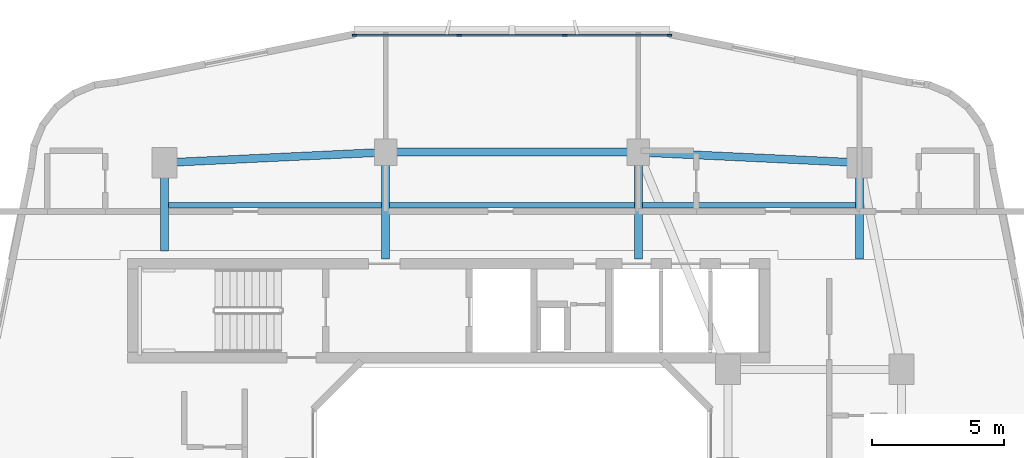
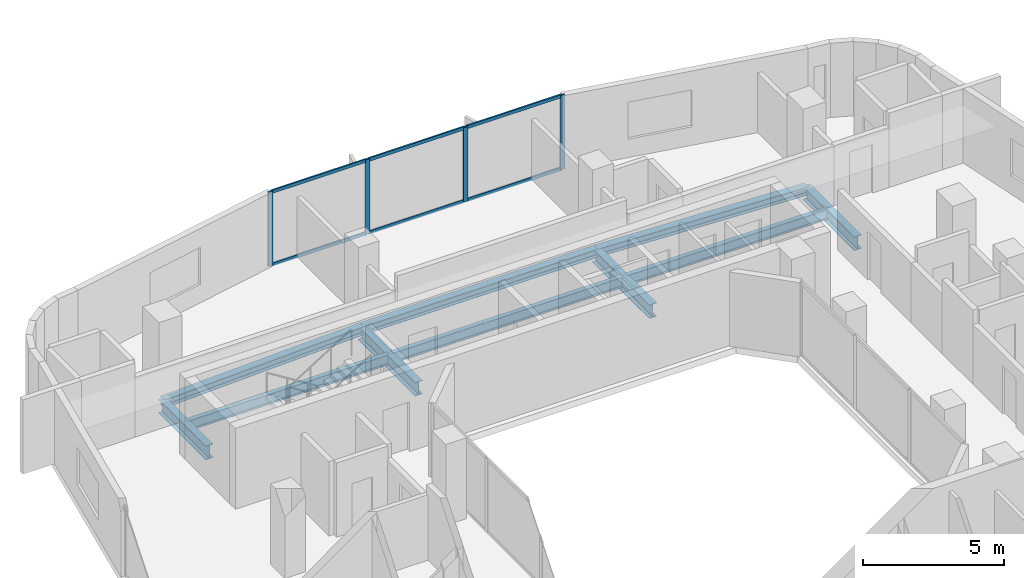
# One storey, part 7 of 26: 10 beams, 10 members, 1 element without a shape of its own.
"""IFC4 building model written with IfcOpenShell, lengths in metres."""

from ifc_helpers import new_model, si_unit, derived_unit, direction, frame, origin, origin_2d, place, context, subcontext, project, spatial, rectangle, i_section, extrude, material, layer, layer_set, material_profile, profile_set, type_object, element, aggregate, save


model = new_model("IFC4")

# Units and contexts
model_context = context("Model", 3, precision=1e-05, world=origin(), true_north=direction((0.0, 1.0)))
body_context = subcontext(model_context, "Body", "Model", "MODEL_VIEW")
ifc_project = project(units=[si_unit("LENGTHUNIT", "METRE"), si_unit("AREAUNIT", "SQUARE_METRE"), si_unit("VOLUMEUNIT", "CUBIC_METRE"), si_unit("PLANEANGLEUNIT", "RADIAN"), si_unit("MASSUNIT", "GRAM", prefix="KILO"), derived_unit("THERMALTRANSMITTANCEUNIT", [(si_unit("POWERUNIT", "WATT"), 1), (si_unit("LENGTHUNIT", "METRE"), -2), (si_unit("THERMODYNAMICTEMPERATUREUNIT", "KELVIN"), -1)])], contexts=[model_context])

# Site, building, storey
site_placement = place(None, origin())
site = spatial("IfcSite", under=ifc_project, at=site_placement, CompositionType="ELEMENT")
building_placement = place(site_placement, origin())
building = spatial("IfcBuilding", under=site, at=building_placement, Name="Kivonza Crest Hotel", CompositionType="ELEMENT")
storey_placement = place(building_placement, frame((0.0, 0.0, 105.5)))
storey = spatial("IfcBuildingStorey", under=building, at=storey_placement, Name="L28", CompositionType="ELEMENT", Elevation=105.5)

# Beams
ifc_material_1 = material(Name="Steel S355", Category="steel")
ifc_material_profile_1 = material_profile(ifc_material_1, i_section(OverallWidth=0.300048828125, OverallDepth=0.360107421875, WebThickness=0.012451171875, FlangeThickness=0.0224609375, FilletRadius=0.027099609375, at=origin_2d()), Name="HEB 360")
ifc_profile_set_1 = profile_set([ifc_material_profile_1], Name="Steel S355")
beam_type_1 = type_object("IfcBeamType", Name="BM-HEB360", PredefinedType="SPANDREL", material=ifc_profile_set_1)
beam_1_placement = place(storey_placement, frame((34.199951171875, 40.199951171875, -0.4599609375), z_axis=(-0.998867283688, 0.047583080799, 0.0), x_axis=(-0.047583080799, -0.998867283688, 0.0)))
element("IfcBeam", 1, at=beam_1_placement, inside=storey, type_object=beam_type_1, Name="Tower T1 L28 perimeter spandrel NE-N2", PredefinedType="SPANDREL", context=body_context, shape_type="SweptSolid", body=[
    extrude(i_section(OverallWidth=0.300048828125, OverallDepth=0.360107421875, WebThickness=0.012451171875, FlangeThickness=0.0224609375, FilletRadius=0.027099609375, at=origin_2d()), origin(), (0.0, 0.0, 1.0), 8.409423828125),
])
beam_2_placement = place(storey_placement, frame((25.800048828125, 40.60009765625, -0.4599609375), z_axis=(-1.0, 0.0, 0.0), x_axis=(0.0, -1.0, 0.0)))
element("IfcBeam", 2, at=beam_2_placement, inside=storey, type_object=beam_type_1, Name="Tower T1 L28 perimeter spandrel N2-N1", PredefinedType="SPANDREL", context=body_context, shape_type="SweptSolid", body=[
    extrude(i_section(OverallWidth=0.300048828125, OverallDepth=0.360107421875, WebThickness=0.012451171875, FlangeThickness=0.0224609375, FilletRadius=0.027099609375, at=origin_2d()), origin(), (0.0, 0.0, 1.0), 9.60009765625),
])
beam_3_placement = place(storey_placement, frame((16.199951171875, 40.60009765625, -0.4599609375), z_axis=(-0.998867283688, -0.047583080799, 0.0), x_axis=(0.047583080799, -0.998867283688, 0.0)))
element("IfcBeam", 3, at=beam_3_placement, inside=storey, type_object=beam_type_1, Name="Tower T1 L28 perimeter spandrel N1-NW", PredefinedType="SPANDREL", context=body_context, shape_type="SweptSolid", body=[
    extrude(i_section(OverallWidth=0.300048828125, OverallDepth=0.360107421875, WebThickness=0.012451171875, FlangeThickness=0.0224609375, FilletRadius=0.027099609375, at=origin_2d()), origin(), (0.0, 0.0, 1.0), 8.409423828125),
])
ifc_material_profile_2 = material_profile(ifc_material_1, i_section(OverallWidth=0.300048828125, OverallDepth=0.60009765625, WebThickness=0.015380859375, FlangeThickness=0.030029296875, FilletRadius=0.027099609375, at=origin_2d()), Name="HEB 600")
ifc_profile_set_2 = profile_set([ifc_material_profile_2], Name="Steel S355")
beam_type_2 = type_object("IfcBeamType", Name="BM-HEB600", PredefinedType="BEAM", material=ifc_profile_set_2)
beam_4_placement = place(storey_placement, frame((7.800048828125, 40.199951171875, -0.580078125), z_axis=(0.0, -1.0, 0.0), x_axis=(1.0, 0.0, 0.0)))
element("IfcBeam", 4, at=beam_4_placement, inside=storey, type_object=beam_type_2, Name="Tower T1 L28 radial core girder RNW", PredefinedType="BEAM", context=body_context, shape_type="SweptSolid", body=[
    extrude(i_section(OverallWidth=0.300048828125, OverallDepth=0.60009765625, WebThickness=0.015380859375, FlangeThickness=0.030029296875, FilletRadius=0.027099609375, at=origin_2d()), origin(), (0.0, 0.0, 1.0), 3.349853515625),
])
for number, where, z_axis, x_axis, name in (
    (5, (16.199951171875, 40.60009765625, -0.580078125), (0.0, -1.0, 0.0), (1.0, 0.0, 0.0), "Tower T1 L28 radial core girder RN1"),
    (6, (25.800048828125, 40.60009765625, -0.580078125), (0.0, -1.0, 0.0), (1.0, 0.0, 0.0), "Tower T1 L28 radial core girder RN2"),
):
    element("IfcBeam", number, at=place(storey_placement, frame(where, z_axis=z_axis, x_axis=x_axis)), inside=storey, type_object=beam_type_2, Name=name, PredefinedType="BEAM", context=body_context, shape_type="SweptSolid", body=[
        extrude(i_section(OverallWidth=0.300048828125, OverallDepth=0.60009765625, WebThickness=0.015380859375, FlangeThickness=0.030029296875, FilletRadius=0.027099609375, at=origin_2d()), origin(), (0.0, 0.0, 1.0), 4.050048828125),
    ])
beam_5_placement = place(storey_placement, frame((34.199951171875, 40.199951171875, -0.580078125), z_axis=(0.0, -1.0, 0.0), x_axis=(1.0, 0.0, 0.0)))
element("IfcBeam", 7, at=beam_5_placement, inside=storey, type_object=beam_type_2, Name="Tower T1 L28 radial core girder RNE", PredefinedType="BEAM", context=body_context, shape_type="SweptSolid", body=[
    extrude(i_section(OverallWidth=0.300048828125, OverallDepth=0.60009765625, WebThickness=0.015380859375, FlangeThickness=0.030029296875, FilletRadius=0.027099609375, at=origin_2d()), origin(), (0.0, 0.0, 1.0), 3.64990234375),
])
ifc_material_profile_3 = material_profile(ifc_material_1, i_section(OverallWidth=0.18994140625, OverallDepth=0.449951171875, WebThickness=0.009521484375, FlangeThickness=0.0146484375, FilletRadius=0.02099609375, at=origin_2d()), Name="IPE 450")
ifc_profile_set_3 = profile_set([ifc_material_profile_3], Name="Steel S355")
beam_type_3 = type_object("IfcBeamType", Name="BM-IPE450", PredefinedType="JOIST", material=ifc_profile_set_3)
beam_6_placement = place(storey_placement, frame((7.8798828125, 38.60009765625, -0.5048828125), z_axis=(1.0, 0.0, 0.0), x_axis=(0.0, 1.0, 0.0)))
element("IfcBeam", 8, at=beam_6_placement, inside=storey, type_object=beam_type_3, Name="Tower T1 L28 North-West floor joist", PredefinedType="JOIST", context=body_context, shape_type="SweptSolid", body=[
    extrude(i_section(OverallWidth=0.18994140625, OverallDepth=0.449951171875, WebThickness=0.009521484375, FlangeThickness=0.0146484375, FilletRadius=0.02099609375, at=origin_2d()), origin(), (0.0, 0.0, 1.0), 8.240234375),
])
beam_7_placement = place(storey_placement, frame((16.280029296875, 38.60009765625, -0.5048828125), z_axis=(1.0, 0.0, 0.0), x_axis=(0.0, 1.0, 0.0)))
element("IfcBeam", 9, at=beam_7_placement, inside=storey, type_object=beam_type_3, Name="Tower T1 L28 North-Mid floor joist", PredefinedType="JOIST", context=body_context, shape_type="SweptSolid", body=[
    extrude(i_section(OverallWidth=0.18994140625, OverallDepth=0.449951171875, WebThickness=0.009521484375, FlangeThickness=0.0146484375, FilletRadius=0.02099609375, at=origin_2d()), origin(), (0.0, 0.0, 1.0), 9.43994140625),
])
beam_8_placement = place(storey_placement, frame((25.8798828125, 38.60009765625, -0.5048828125), z_axis=(1.0, 0.0, 0.0), x_axis=(0.0, 1.0, 0.0)))
element("IfcBeam", 10, at=beam_8_placement, inside=storey, type_object=beam_type_3, Name="Tower T1 L28 North-East floor joist", PredefinedType="JOIST", context=body_context, shape_type="SweptSolid", body=[
    extrude(i_section(OverallWidth=0.18994140625, OverallDepth=0.449951171875, WebThickness=0.009521484375, FlangeThickness=0.0146484375, FilletRadius=0.02099609375, at=origin_2d()), origin(), (0.0, 0.0, 1.0), 8.240234375),
])

# Curtain wall, members
ifc_material_2 = material(Name="Anodised bronze aluminium and low-E double glazing", Category="aluminium")
ifc_layer = layer(ifc_material_2, 0.179931640625)
ifc_layer_set = layer_set([ifc_layer], Name="Anodised bronze aluminium and low-E double glazing")
curtain_wall_type = type_object("IfcCurtainWallType", Name="CW-SYS-2", PredefinedType="NOTDEFINED", material=ifc_layer_set)
curtain_wall_placement = place(storey_placement, origin())
curtain_wall = element("IfcCurtainWall", 11, at=curtain_wall_placement, inside=storey, type_object=curtain_wall_type, Name="L28 unitised curtain wall CW-T1-L28-26", PredefinedType="NOTDEFINED")
ifc_material_3 = material(Name="Anodised bronze aluminium", Category="aluminium")
ifc_material_profile_4 = material_profile(ifc_material_3, rectangle(XDim=0.06494140625, YDim=0.179931640625, at=origin_2d()), Name="CW-M 65x180")
ifc_profile_set_4 = profile_set([ifc_material_profile_4], Name="Anodised bronze aluminium")
member_type_1 = type_object("IfcMemberType", Name="CW-MUL-65x180", PredefinedType="MULLION", material=ifc_profile_set_4)
member_1_placement = place(storey_placement, frame((26.987548828125, 45.0400390625, 0.0), z_axis=(0.0, 0.0, 1.0), x_axis=(0.0, -1.0, 0.0)))
member_1 = element("IfcMember", 12, at=member_1_placement, type_object=member_type_1, Name="CW-2 mullion 1", PredefinedType="MULLION", context=body_context, shape_type="SweptSolid", body=[
    extrude(rectangle(XDim=0.06494140625, YDim=0.179931640625, at=origin_2d()), origin(), (0.0, 0.0, 1.0), 3.219970703125),
])
member_2_placement = place(storey_placement, frame((23.006591796875, 45.0400390625, 0.0), z_axis=(0.0, 0.0, 1.0), x_axis=(0.0, -1.0, 0.0)))
member_2 = element("IfcMember", 13, at=member_2_placement, type_object=member_type_1, Name="CW-2 mullion 2", PredefinedType="MULLION", context=body_context, shape_type="SweptSolid", body=[
    extrude(rectangle(XDim=0.06494140625, YDim=0.179931640625, at=origin_2d()), origin(), (0.0, 0.0, 1.0), 3.219970703125),
])
member_3_placement = place(storey_placement, frame((18.993408203125, 45.0400390625, 0.0), z_axis=(0.0, 0.0, 1.0), x_axis=(0.0, -1.0, 0.0)))
member_3 = element("IfcMember", 14, at=member_3_placement, type_object=member_type_1, Name="CW-2 mullion 3", PredefinedType="MULLION", context=body_context, shape_type="SweptSolid", body=[
    extrude(rectangle(XDim=0.06494140625, YDim=0.179931640625, at=origin_2d()), origin(), (0.0, 0.0, 1.0), 3.219970703125),
])
member_4_placement = place(storey_placement, frame((15.012451171875, 45.0400390625, 0.0), z_axis=(0.0, 0.0, 1.0), x_axis=(0.0, -1.0, 0.0)))
member_4 = element("IfcMember", 15, at=member_4_placement, type_object=member_type_1, Name="CW-2 mullion 4", PredefinedType="MULLION", context=body_context, shape_type="SweptSolid", body=[
    extrude(rectangle(XDim=0.06494140625, YDim=0.179931640625, at=origin_2d()), origin(), (0.0, 0.0, 1.0), 3.219970703125),
])
ifc_material_profile_5 = material_profile(ifc_material_3, rectangle(XDim=0.06494140625, YDim=0.139892578125, at=origin_2d()), Name="CW-T 65x140")
ifc_profile_set_5 = profile_set([ifc_material_profile_5], Name="Anodised bronze aluminium")
member_type_2 = type_object("IfcMemberType", Name="CW-TRN-65x140", PredefinedType="USERDEFINED", material=ifc_profile_set_5)
member_5_placement = place(storey_placement, frame((26.955078125, 45.0400390625, 0.032470703125), z_axis=(-1.0, 0.0, 0.0), x_axis=(0.0, -1.0, 0.0)))
member_5 = element("IfcMember", 16, at=member_5_placement, type_object=member_type_2, Name="CW-2 transom 1.1", ObjectType="TRANSOM", PredefinedType="USERDEFINED", context=body_context, shape_type="SweptSolid", body=[
    extrude(rectangle(XDim=0.06494140625, YDim=0.139892578125, at=origin_2d()), origin(), (0.0, 0.0, 1.0), 3.916015625),
])
member_6_placement = place(storey_placement, frame((26.955078125, 45.0400390625, 3.1875), z_axis=(-1.0, 0.0, 0.0), x_axis=(0.0, -1.0, 0.0)))
member_6 = element("IfcMember", 17, at=member_6_placement, type_object=member_type_2, Name="CW-2 transom 1.2", ObjectType="TRANSOM", PredefinedType="USERDEFINED", context=body_context, shape_type="SweptSolid", body=[
    extrude(rectangle(XDim=0.06494140625, YDim=0.139892578125, at=origin_2d()), origin(), (0.0, 0.0, 1.0), 3.916015625),
])
member_7_placement = place(storey_placement, frame((22.97412109375, 45.0400390625, 0.032470703125), z_axis=(-1.0, 0.0, 0.0), x_axis=(0.0, -1.0, 0.0)))
member_7 = element("IfcMember", 18, at=member_7_placement, type_object=member_type_2, Name="CW-2 transom 2.1", ObjectType="TRANSOM", PredefinedType="USERDEFINED", context=body_context, shape_type="SweptSolid", body=[
    extrude(rectangle(XDim=0.06494140625, YDim=0.139892578125, at=origin_2d()), origin(), (0.0, 0.0, 1.0), 3.9482421875),
])
member_8_placement = place(storey_placement, frame((22.97412109375, 45.0400390625, 3.1875), z_axis=(-1.0, 0.0, 0.0), x_axis=(0.0, -1.0, 0.0)))
member_8 = element("IfcMember", 19, at=member_8_placement, type_object=member_type_2, Name="CW-2 transom 2.2", ObjectType="TRANSOM", PredefinedType="USERDEFINED", context=body_context, shape_type="SweptSolid", body=[
    extrude(rectangle(XDim=0.06494140625, YDim=0.139892578125, at=origin_2d()), origin(), (0.0, 0.0, 1.0), 3.9482421875),
])
member_9_placement = place(storey_placement, frame((18.9609375, 45.0400390625, 0.032470703125), z_axis=(-1.0, 0.0, 0.0), x_axis=(0.0, -1.0, 0.0)))
member_9 = element("IfcMember", 20, at=member_9_placement, type_object=member_type_2, Name="CW-2 transom 3.1", ObjectType="TRANSOM", PredefinedType="USERDEFINED", context=body_context, shape_type="SweptSolid", body=[
    extrude(rectangle(XDim=0.06494140625, YDim=0.139892578125, at=origin_2d()), origin(), (0.0, 0.0, 1.0), 3.916015625),
])
member_10_placement = place(storey_placement, frame((18.9609375, 45.0400390625, 3.1875), z_axis=(-1.0, 0.0, 0.0), x_axis=(0.0, -1.0, 0.0)))
member_10 = element("IfcMember", 21, at=member_10_placement, type_object=member_type_2, Name="CW-2 transom 3.2", ObjectType="TRANSOM", PredefinedType="USERDEFINED", context=body_context, shape_type="SweptSolid", body=[
    extrude(rectangle(XDim=0.06494140625, YDim=0.139892578125, at=origin_2d()), origin(), (0.0, 0.0, 1.0), 3.916015625),
])
aggregate(curtain_wall, [member_1, member_2, member_3, member_4, member_5, member_6, member_7, member_8, member_9, member_10])

save(model, "model.ifc")
